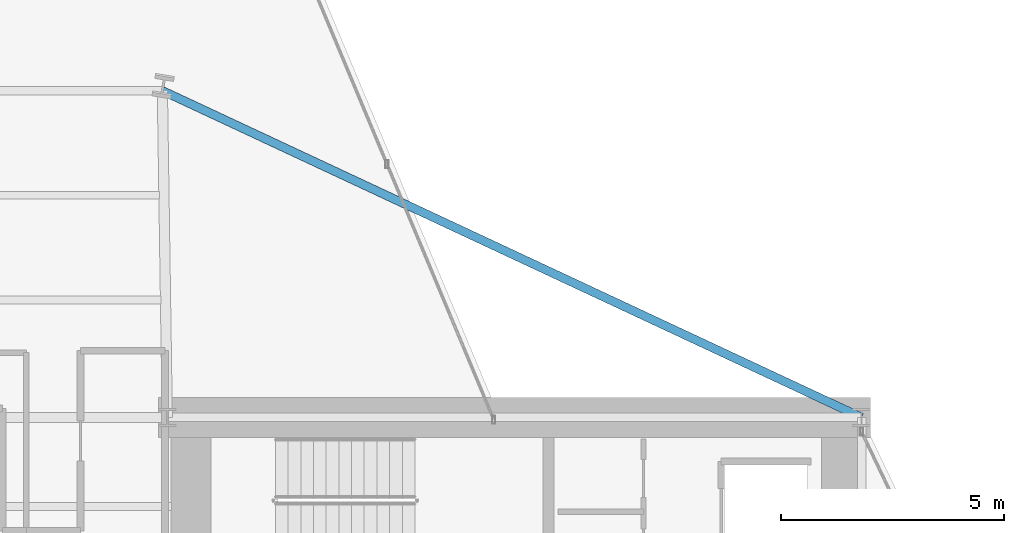
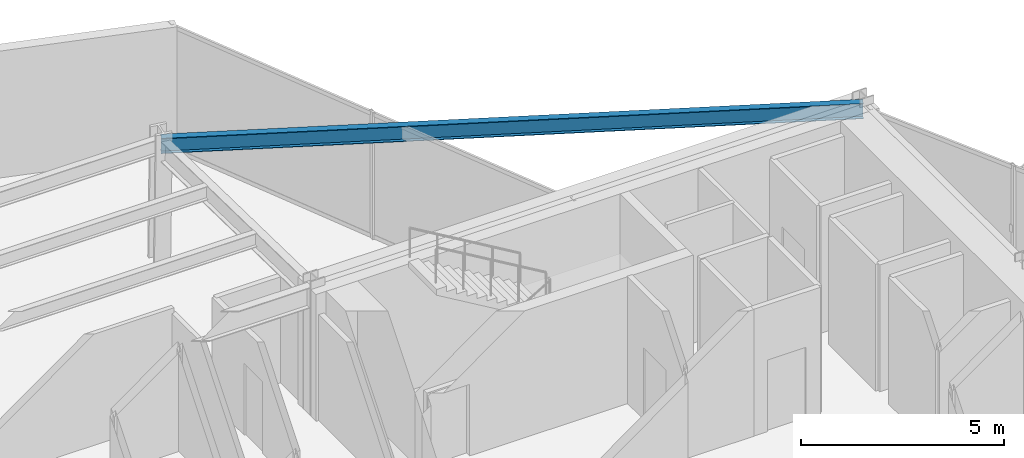
# One storey, part 17 of 25: 1 beam.
"""IFC4 building model written with IfcOpenShell, lengths in metres."""

from ifc_helpers import new_model, si_unit, direction, frame, origin, origin_2d, place, context, subcontext, project, spatial, i_section, extrude, material, material_profile, profile_set, type_object, element, save


model = new_model("IFC4")

# Units and contexts
model_context = context("Model", 3, precision=1e-05, world=origin(), true_north=direction((0.0, 1.0)))
body_context = subcontext(model_context, "Body", "Model", "MODEL_VIEW")
ifc_project = project(units=[si_unit("LENGTHUNIT", "METRE"), si_unit("AREAUNIT", "SQUARE_METRE"), si_unit("VOLUMEUNIT", "CUBIC_METRE"), si_unit("PLANEANGLEUNIT", "RADIAN"), si_unit("MASSUNIT", "GRAM", prefix="KILO")], contexts=[model_context])

# Site, building, storey
site_placement = place(None, origin())
site = spatial("IfcSite", under=ifc_project, at=site_placement, CompositionType="ELEMENT")
building_placement = place(site_placement, origin())
building = spatial("IfcBuilding", under=site, at=building_placement, Name="Veymaron Broadcast Tower", CompositionType="ELEMENT")
storey_placement = place(building_placement, frame((0.0, 0.0, 82.35009765625)))
storey = spatial("IfcBuildingStorey", under=building, at=storey_placement, Name="L18", CompositionType="ELEMENT", Elevation=82.35009765625)

# Beam
ifc_material = material(Name="Structural steel ASTM A992 Gr 50", Category="steel")
ifc_material_profile = material_profile(ifc_material, i_section(OverallWidth=0.19091796875, OverallDepth=0.4599609375, WebThickness=0.010009765625, FlangeThickness=0.01611328125, at=origin_2d()), Name="W460X82")
ifc_profile_set = profile_set([ifc_material_profile], Name="Structural steel ASTM A992 Gr 50")
beam_type = type_object("IfcBeamType", Name="BM-SP1", PredefinedType="SPANDREL", material=ifc_profile_set)
beam_placement = place(storey_placement, frame((54.60009765625, 32.0, 3.579833984375), z_axis=(-0.905991691469, 0.423295470078, 0.0), x_axis=(-0.423295470078, -0.905991691469, 0.0)))
element("IfcBeam", 1, at=beam_placement, inside=storey, type_object=beam_type, Name="L18 primary structural floor girder", PredefinedType="SPANDREL", context=body_context, shape_type="SweptSolid", body=[
    extrude(i_section(OverallWidth=0.19091796875, OverallDepth=0.4599609375, WebThickness=0.010009765625, FlangeThickness=0.01611328125, at=origin_2d()), origin(), (0.0, 0.0, 1.0), 17.34033203125),
])

save(model, "model.ifc")
